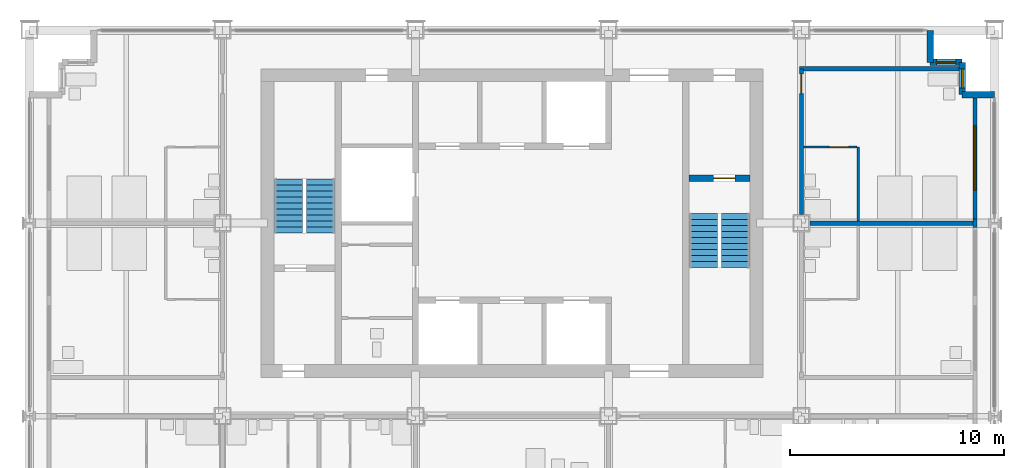
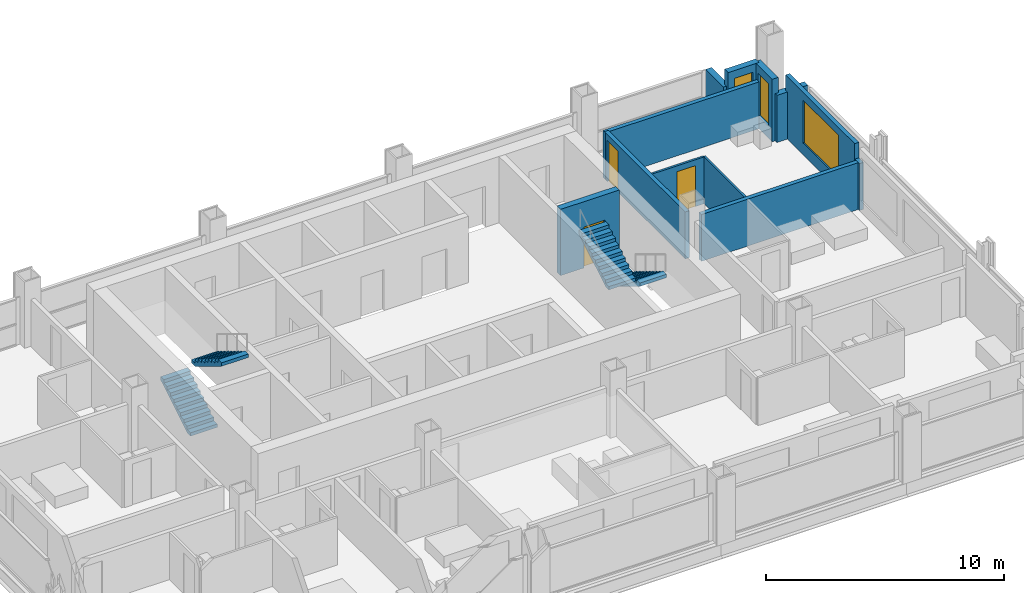
# One storey, part 10 of 13: 12 walls, 4 stair flights, 3 doors, 3 windows, 6 openings, 2 elements without a shape of their own.
"""IFC4 building model written with IfcOpenShell, lengths in metres."""

from ifc_helpers import new_model, si_unit, direction, frame, frame_2d, origin, place, context, subcontext, project, spatial, polyline, rectangle, outline, extrude, material, layer, layer_set, type_object, element, fill, aggregate, save


model = new_model("IFC4")

# Units and contexts
model_context = context("Model", 3, precision=1e-05, world=origin(), true_north=direction((0.0, 1.0)))
body_context = subcontext(model_context, "Body", "Model", "MODEL_VIEW")
ifc_project = project(units=[si_unit("LENGTHUNIT", "METRE"), si_unit("AREAUNIT", "SQUARE_METRE"), si_unit("VOLUMEUNIT", "CUBIC_METRE"), si_unit("PLANEANGLEUNIT", "RADIAN"), si_unit("MASSUNIT", "GRAM", prefix="KILO")], contexts=[model_context])

# Site, building, storey
site_placement = place(None, origin())
site = spatial("IfcSite", under=ifc_project, at=site_placement, CompositionType="ELEMENT")
building_placement = place(site_placement, origin())
building = spatial("IfcBuilding", under=site, at=building_placement, Name="Loomwork Tower", CompositionType="ELEMENT")
storey_placement = place(building_placement, frame((0.0, 0.0, 187.60009765625)))
storey = spatial("IfcBuildingStorey", under=building, at=storey_placement, Name="L51", CompositionType="ELEMENT", Elevation=187.60009765625)

# Wall, opening, door
ifc_material_1 = material(Name="Concrete 14000 psi (97 MPa)", Category="concrete")
ifc_layer_1 = layer(ifc_material_1, 0.300048828125)
ifc_layer_set_1 = layer_set([ifc_layer_1], Name="Core shear wall 300")
wall_type_1 = type_object("IfcWallType", Name="Core shear wall 300", PredefinedType="SHEAR", material=ifc_layer_set_1)
wall_1_placement = place(storey_placement, frame((30.75, 20.10009765625, 0.0), z_axis=(0.0, 0.0, 1.0), x_axis=(1.0, 0.0, 0.0)))
wall_1 = element("IfcWall", 1, at=wall_1_placement, inside=storey, type_object=wall_type_1, Name="Stair B north wall L51", PredefinedType="SHEAR", context=body_context, shape_type="SweptSolid", body=[
    extrude(rectangle(XDim=2.85009765625, YDim=0.300048828125, at=frame_2d((1.425048828125, 0.0))), origin(), (0.0, 0.0, 1.0), 3.39990234375),
])
opening_1_placement = place(wall_1_placement, frame((1.14990234375, 0.0, 0.0)))
opening_1 = element("IfcOpeningElement", 2, at=opening_1_placement, cuts=wall_1, Name="Opening D4", PredefinedType="OPENING", context=body_context, shape_type="SweptSolid", body=[
    extrude(rectangle(XDim=1.0, YDim=2.10009765625, at=frame_2d((0.5, 1.050048828125))), frame((0.0, 0.159912109375, 0.0), z_axis=(0.0, -1.0, 0.0), x_axis=(1.0, 0.0, 0.0)), (0.0, 0.0, 1.0), 0.320068359375),
])
ifc_material_2 = material(Name="Hollow metal door and frame")
door_type_1 = type_object("IfcDoorType", Name="Stair door 1000", OperationType="SINGLE_SWING_RIGHT", PredefinedType="DOOR", material=ifc_material_2)
door_1_placement = place(opening_1_placement, frame((1.0, 0.0, 0.0), z_axis=(0.0, 0.0, 1.0), x_axis=(-1.0, 0.0, 0.0)))
door_1 = element("IfcDoor", 3, at=door_1_placement, inside=storey, type_object=door_type_1, Name="Stair B door", OperationType="SINGLE_SWING_LEFT", OverallHeight=2.10009765625, OverallWidth=1.0, PredefinedType="DOOR", context=body_context, shape_type="SweptSolid", body=[
    extrude(rectangle(XDim=1.0, YDim=2.10009765625, at=frame_2d((0.5, 1.050048828125))), frame((0.0, 0.02490234375, 0.0), z_axis=(0.0, -1.0, 0.0), x_axis=(1.0, 0.0, 0.0)), (0.0, 0.0, 1.0), 0.050048828125),
])
fill(opening_1, door_1)

ifc_material_3 = material(Name="Gypsum board on steel studs, one-hour", Category="steel")
ifc_layer_2 = layer(ifc_material_3, 0.199951171875)
ifc_layer_set_2 = layer_set([ifc_layer_2], Name="Corridor wall 200")
wall_type_2 = type_object("IfcWallType", Name="Corridor wall 200", PredefinedType="PARTITIONING", material=ifc_layer_set_2)
wall_2_placement = place(storey_placement, frame((36.0, 18.39990234375, 0.0), z_axis=(0.0, 0.0, 1.0), x_axis=(0.0, 1.0, 0.0)))
wall_2 = element("IfcWall", 4, at=wall_2_placement, inside=storey, type_object=wall_type_2, Name="East corridor wall 2", PredefinedType="PARTITIONING", context=body_context, shape_type="SweptSolid", body=[
    extrude(rectangle(XDim=6.800048828125, YDim=0.199951171875, at=frame_2d((3.39990234375, 0.0))), origin(), (0.0, 0.0, 1.0), 2.40478515625),
])
opening_2_placement = place(wall_2_placement, frame((5.64990234375, 0.0, 0.0)))
opening_2 = element("IfcOpeningElement", 5, at=opening_2_placement, cuts=wall_2, Name="Opening D1", PredefinedType="OPENING", context=body_context, shape_type="SweptSolid", body=[
    extrude(rectangle(XDim=0.89990234375, YDim=2.10009765625, at=frame_2d((0.449951171875, 1.050048828125))), frame((0.0, 0.10986328125, 0.0), z_axis=(0.0, -1.0, 0.0), x_axis=(1.0, 0.0, 0.0)), (0.0, 0.0, 1.0), 0.219970703125),
])
ifc_material_4 = material(Name="Hollow metal door and frame")
door_type_2 = type_object("IfcDoorType", Name="Guest room entry door 900", OperationType="SINGLE_SWING_LEFT", PredefinedType="DOOR", material=ifc_material_4)
door_2_placement = place(opening_2_placement, frame((0.89990234375, 0.0, 0.0), z_axis=(0.0, 0.0, 1.0), x_axis=(-1.0, 0.0, 0.0)))
door_2 = element("IfcDoor", 6, at=door_2_placement, inside=storey, type_object=door_type_2, Name="Guest room entry door L51 10", OperationType="SINGLE_SWING_LEFT", OverallHeight=2.10009765625, OverallWidth=0.89990234375, PredefinedType="DOOR", context=body_context, shape_type="SweptSolid", body=[
    extrude(rectangle(XDim=0.89990234375, YDim=2.10009765625, at=frame_2d((0.449951171875, 1.050048828125))), frame((0.0, 0.02490234375, 0.0), z_axis=(0.0, -1.0, 0.0), x_axis=(1.0, 0.0, 0.0)), (0.0, 0.0, 1.0), 0.050048828125),
])
fill(opening_2, door_2)

# Walls
wall_3_placement = place(storey_placement, frame((35.89990234375, 25.199951171875, 0.0), z_axis=(0.0, 0.0, 1.0), x_axis=(1.0, 0.0, 0.0)))
element("IfcWall", 7, at=wall_3_placement, inside=storey, type_object=wall_type_2, Name="East band end wall N", PredefinedType="PARTITIONING", context=body_context, shape_type="SweptSolid", body=[
    extrude(rectangle(XDim=7.4501953125, YDim=0.199951171875, at=frame_2d((3.72509765625, 0.0))), origin(), (0.0, 0.0, 1.0), 2.40380859375),
])
ifc_material_5 = material(Name="Cement board on steel studs", Category="steel")
ifc_layer_3 = layer(ifc_material_5, 0.10009765625)
ifc_layer_set_3 = layer_set([ifc_layer_3], Name="En-suite partition 100")
wall_type_3 = type_object("IfcWallType", Name="En-suite partition 100", PredefinedType="PARTITIONING", material=ifc_layer_set_3)
wall_4_placement = place(storey_placement, frame((38.64990234375, 18.10009765625, 0.0), z_axis=(0.0, 0.0, 1.0), x_axis=(0.0, 1.0, 0.0)))
element("IfcWall", 8, at=wall_4_placement, inside=storey, type_object=wall_type_3, Name="En-suite wall L51 room 10", PredefinedType="PARTITIONING", context=body_context, shape_type="SweptSolid", body=[
    extrude(rectangle(XDim=3.449951171875, YDim=0.10009765625, at=frame_2d((1.72509765625, 0.0))), origin(), (0.0, 0.0, 1.0), 2.40380859375),
])

# Wall, opening, door
wall_5_placement = place(storey_placement, frame((36.10009765625, 21.550048828125, 0.0), z_axis=(0.0, 0.0, 1.0), x_axis=(1.0, 0.0, 0.0)))
wall_5 = element("IfcWall", 9, at=wall_5_placement, inside=storey, type_object=wall_type_3, Name="En-suite side wall L51 room 10", PredefinedType="PARTITIONING", context=body_context, shape_type="SweptSolid", body=[
    extrude(rectangle(XDim=2.5, YDim=0.10009765625, at=frame_2d((1.25, 0.0))), origin(), (0.0, 0.0, 1.0), 2.40380859375),
])
opening_3_placement = place(wall_5_placement, frame((1.199951171875, 0.0, 0.0)))
opening_3 = element("IfcOpeningElement", 10, at=opening_3_placement, cuts=wall_5, Name="Opening D2", PredefinedType="OPENING", context=body_context, shape_type="SweptSolid", body=[
    extrude(rectangle(XDim=0.89990234375, YDim=2.10009765625, at=frame_2d((0.449951171875, 1.050048828125))), frame((0.0, 0.06005859375, 0.0), z_axis=(0.0, -1.0, 0.0), x_axis=(1.0, 0.0, 0.0)), (0.0, 0.0, 1.0), 0.1201171875),
])
ifc_material_6 = material(Name="Hollow metal door and frame")
door_type_3 = type_object("IfcDoorType", Name="En-suite door 900", OperationType="SINGLE_SWING_LEFT", PredefinedType="DOOR", material=ifc_material_6)
door_3_placement = place(opening_3_placement, frame((0.89990234375, 0.0, 0.0), z_axis=(0.0, 0.0, 1.0), x_axis=(-1.0, 0.0, 0.0)))
door_3 = element("IfcDoor", 11, at=door_3_placement, inside=storey, type_object=door_type_3, Name="En-suite door room 10", OperationType="SINGLE_SWING_LEFT", OverallHeight=2.10009765625, OverallWidth=0.89990234375, PredefinedType="DOOR", context=body_context, shape_type="SweptSolid", body=[
    extrude(rectangle(XDim=0.89990234375, YDim=2.10009765625, at=frame_2d((0.449951171875, 1.050048828125))), frame((0.0, 0.02490234375, 0.0), z_axis=(0.0, -1.0, 0.0), x_axis=(1.0, 0.0, 0.0)), (0.0, 0.0, 1.0), 0.050048828125),
])
fill(opening_3, door_3)

# Walls
ifc_material_7 = material(Name="Gypsum board on steel studs, acoustic", Category="steel")
ifc_layer_4 = layer(ifc_material_7, 0.199951171875)
ifc_layer_set_4 = layer_set([ifc_layer_4], Name="Guest room party wall 200")
wall_type_4 = type_object("IfcWallType", Name="Guest room party wall 200", PredefinedType="PARTITIONING", material=ifc_layer_set_4)
wall_6_placement = place(storey_placement, frame((36.39990234375, 18.0, 0.0), z_axis=(0.0, 0.0, 1.0), x_axis=(1.0, 0.0, 0.0)))
element("IfcWall", 12, at=wall_6_placement, inside=storey, type_object=wall_type_4, Name="Guest room party wall E 18", PredefinedType="PARTITIONING", context=body_context, shape_type="SweptSolid", body=[
    extrude(rectangle(XDim=7.60009765625, YDim=0.199951171875, at=frame_2d((3.800048828125, 0.0))), origin(), (0.0, 0.0, 1.0), 2.40478515625),
])
ifc_material_8 = material(Name="Insulated steel stud wall with gypsum lining", Category="steel")
ifc_layer_5 = layer(ifc_material_8, 0.199951171875)
ifc_layer_set_5 = layer_set([ifc_layer_5], Name="Inner skin wall 200")
wall_type_5 = type_object("IfcWallType", Name="Inner skin wall 200", PredefinedType="SOLIDWALL", material=ifc_layer_set_5)
wall_7_placement = place(storey_placement, frame((44.10009765625, 17.80615234375, 0.0), z_axis=(0.0, 0.0, 1.0), x_axis=(0.0, 1.0, 0.0)))
element("IfcWall", 13, at=wall_7_placement, inside=storey, type_object=wall_type_5, Name="Inner skin wall E bay 6", PredefinedType="SOLIDWALL", context=body_context, shape_type="SweptSolid", body=[
    extrude(rectangle(XDim=0.3876953125, YDim=0.199951171875, at=frame_2d((0.19384765625, 0.0))), origin(), (0.0, 0.0, 1.0), 2.40380859375),
])

# Wall, opening, window
wall_8_placement = place(storey_placement, frame((44.10009765625, 18.19384765625, 0.0), z_axis=(0.0, 0.0, 1.0), x_axis=(0.0, 1.0, 0.0)))
wall_8 = element("IfcWall", 14, at=wall_8_placement, inside=storey, type_object=wall_type_5, Name="Inner skin wall E bay 7", PredefinedType="SOLIDWALL", context=body_context, shape_type="SweptSolid", body=[
    extrude(rectangle(XDim=5.80615234375, YDim=0.199951171875, at=frame_2d((2.903076171875, 0.0))), origin(), (0.0, 0.0, 1.0), 3.199951171875),
])
opening_4_placement = place(wall_8_placement, frame((1.356201171875, 0.0, 0.60009765625)))
opening_4 = element("IfcOpeningElement", 15, at=opening_4_placement, cuts=wall_8, Name="Opening CH1", PredefinedType="OPENING", context=body_context, shape_type="SweptSolid", body=[
    extrude(rectangle(XDim=3.0, YDim=2.199951171875, at=frame_2d((1.5, 1.10009765625))), frame((0.0, 0.10986328125, 0.0), z_axis=(0.0, -1.0, 0.0), x_axis=(1.0, 0.0, 0.0)), (0.0, 0.0, 1.0), 0.219970703125),
])
ifc_material_9 = material(Name="Aluminium frame with clear insulated glass", Category="aluminium")
window_type_1 = type_object("IfcWindowType", Name="Chicago window 3000", PartitioningType="TRIPLE_PANEL_VERTICAL", PredefinedType="WINDOW", material=ifc_material_9)
window_1_placement = place(opening_4_placement, origin())
window_1 = element("IfcWindow", 16, at=window_1_placement, inside=storey, type_object=window_type_1, Name="Chicago window L51 bay 9", OverallHeight=2.199951171875, OverallWidth=3.0, PartitioningType="TRIPLE_PANEL_VERTICAL", PredefinedType="WINDOW", context=body_context, shape_type="SweptSolid", body=[
    extrude(rectangle(XDim=3.0, YDim=2.199951171875, at=frame_2d((1.5, 1.10009765625))), frame((0.0, 0.030029296875, 0.0), z_axis=(0.0, -1.0, 0.0), x_axis=(1.0, 0.0, 0.0)), (0.0, 0.0, 1.0), 0.06005859375),
])
fill(opening_4, window_1)

# Wall
ifc_material_10 = material(Name="Limestone on concrete masonry", Category="masonry")
ifc_layer_6 = layer(ifc_material_10, 0.300048828125)
ifc_layer_set_6 = layer_set([ifc_layer_6], Name="Limestone corner wall 300")
wall_type_6 = type_object("IfcWallType", Name="Limestone corner wall 300", PredefinedType="SOLIDWALL", material=ifc_layer_set_6)
wall_9_placement = place(storey_placement, frame((45.0, 24.0, 0.0), z_axis=(0.0, 0.0, 1.0), x_axis=(-1.0, 0.0, 0.0)))
element("IfcWall", 17, at=wall_9_placement, inside=storey, type_object=wall_type_6, Name="Stone corner wall NE 1", PredefinedType="SOLIDWALL", context=body_context, shape_type="SweptSolid", body=[
    extrude(rectangle(XDim=1.5, YDim=0.300048828125, at=frame_2d((0.75, 0.0))), origin(), (0.0, 0.0, 1.0), 2.419921875),
])

# Wall, opening, window
wall_10_placement = place(storey_placement, frame((43.5, 24.0, 0.0), z_axis=(0.0, 0.0, 1.0), x_axis=(0.0, 1.0, 0.0)))
wall_10 = element("IfcWall", 18, at=wall_10_placement, inside=storey, type_object=wall_type_6, Name="Stone corner wall NE 2", PredefinedType="SOLIDWALL", context=body_context, shape_type="SweptSolid", body=[
    extrude(rectangle(XDim=1.5, YDim=0.300048828125, at=frame_2d((0.75, 0.0))), origin(), (0.0, 0.0, 1.0), 3.199951171875),
])
opening_5_placement = place(wall_10_placement, frame((0.300048828125, 0.0, 0.60009765625)))
opening_5 = element("IfcOpeningElement", 19, at=opening_5_placement, cuts=wall_10, Name="Opening CH2", PredefinedType="OPENING", context=body_context, shape_type="SweptSolid", body=[
    extrude(rectangle(XDim=0.89990234375, YDim=2.199951171875, at=frame_2d((0.449951171875, 1.10009765625))), frame((0.0, 0.159912109375, 0.0), z_axis=(0.0, -1.0, 0.0), x_axis=(1.0, 0.0, 0.0)), (0.0, 0.0, 1.0), 0.320068359375),
])
ifc_material_11 = material(Name="Aluminium frame with clear insulated glass", Category="aluminium")
window_type_2 = type_object("IfcWindowType", Name="Corner window 900", PartitioningType="SINGLE_PANEL", PredefinedType="WINDOW", material=ifc_material_11)
window_2_placement = place(opening_5_placement, origin())
window_2 = element("IfcWindow", 20, at=window_2_placement, inside=storey, type_object=window_type_2, Name="Corner window NE", OverallHeight=2.199951171875, OverallWidth=0.89990234375, PartitioningType="SINGLE_PANEL", PredefinedType="WINDOW", context=body_context, shape_type="SweptSolid", body=[
    extrude(rectangle(XDim=0.89990234375, YDim=2.199951171875, at=frame_2d((0.449951171875, 1.10009765625))), frame((0.0, 0.030029296875, 0.0), z_axis=(0.0, -1.0, 0.0), x_axis=(1.0, 0.0, 0.0)), (0.0, 0.0, 1.0), 0.06005859375),
])
fill(opening_5, window_2)

wall_11_placement = place(storey_placement, frame((43.5, 25.5, 0.0), z_axis=(0.0, 0.0, 1.0), x_axis=(-1.0, 0.0, 0.0)))
wall_11 = element("IfcWall", 21, at=wall_11_placement, inside=storey, type_object=wall_type_6, Name="Stone corner wall NE 3", PredefinedType="SOLIDWALL", context=body_context, shape_type="SweptSolid", body=[
    extrude(rectangle(XDim=1.5, YDim=0.300048828125, at=frame_2d((0.75, 0.0))), origin(), (0.0, 0.0, 1.0), 3.199951171875),
])
opening_6_placement = place(wall_11_placement, frame((0.300048828125, 0.0, 0.60009765625)))
opening_6 = element("IfcOpeningElement", 22, at=opening_6_placement, cuts=wall_11, Name="Opening CH2", PredefinedType="OPENING", context=body_context, shape_type="SweptSolid", body=[
    extrude(rectangle(XDim=0.89990234375, YDim=2.199951171875, at=frame_2d((0.449951171875, 1.10009765625))), frame((0.0, 0.159912109375, 0.0), z_axis=(0.0, -1.0, 0.0), x_axis=(1.0, 0.0, 0.0)), (0.0, 0.0, 1.0), 0.320068359375),
])
window_3_placement = place(opening_6_placement, origin())
window_3 = element("IfcWindow", 23, at=window_3_placement, inside=storey, type_object=window_type_2, Name="Corner window NE", OverallHeight=2.199951171875, OverallWidth=0.89990234375, PartitioningType="SINGLE_PANEL", PredefinedType="WINDOW", context=body_context, shape_type="SweptSolid", body=[
    extrude(rectangle(XDim=0.89990234375, YDim=2.199951171875, at=frame_2d((0.449951171875, 1.10009765625))), frame((0.0, 0.030029296875, 0.0), z_axis=(0.0, -1.0, 0.0), x_axis=(1.0, 0.0, 0.0)), (0.0, 0.0, 1.0), 0.06005859375),
])
fill(opening_6, window_3)

# Wall
wall_12_placement = place(storey_placement, frame((42.0, 25.5, 0.0), z_axis=(0.0, 0.0, 1.0), x_axis=(0.0, 1.0, 0.0)))
element("IfcWall", 24, at=wall_12_placement, inside=storey, type_object=wall_type_6, Name="Stone corner wall NE 4", PredefinedType="SOLIDWALL", context=body_context, shape_type="SweptSolid", body=[
    extrude(rectangle(XDim=1.5, YDim=0.300048828125, at=frame_2d((0.75, 0.0))), origin(), (0.0, 0.0, 1.0), 2.419921875),
])

# Stair, stair flights
ifc_material_12 = material(Name="Concrete 5000 psi (34 MPa) precast stair", Category="concrete")
stair_type_1 = type_object("IfcStairType", Name="Stair ST-A 20 risers 2850 wide", PredefinedType="HALF_TURN_STAIR", material=ifc_material_12)
stair_1_placement = place(storey_placement, origin())
stair_1 = element("IfcStair", 25, at=stair_1_placement, inside=storey, type_object=stair_type_1, Name="Stair A L51", PredefinedType="HALF_TURN_STAIR")
ifc_material_13 = material(Name="Concrete 5000 psi (34 MPa) precast stair", Category="concrete")
stair_flight_type_1 = type_object("IfcStairFlightType", Name="Stair flight ST-A 10 risers 1300 wide", PredefinedType="STRAIGHT", material=ifc_material_13)
stair_flight_1_placement = place(storey_placement, frame((12.074951171875, 17.550048828125, 0.0), z_axis=(0.0, 0.0, 1.0), x_axis=(0.0, 1.0, 0.0)))
stair_flight_1 = element("IfcStairFlight", 26, at=stair_flight_1_placement, type_object=stair_flight_type_1, Name="ST-A flight 1", NumberOfRisers=10, NumberOfTreads=9, PredefinedType="STRAIGHT", RiserHeight=0.17, TreadLength=0.28, context=body_context, shape_type="SweptSolid", body=[
    extrude(outline(polyline([(0.0, 0.0), (0.0, 0.169921875), (0.280029296875, 0.169921875), (0.280029296875, 0.340087890625), (0.56005859375, 0.340087890625), (0.56005859375, 0.510009765625), (0.840087890625, 0.510009765625), (0.840087890625, 0.679931640625), (1.1201171875, 0.679931640625), (1.1201171875, 0.85009765625), (1.39990234375, 0.85009765625), (1.39990234375, 1.02001953125), (1.679931640625, 1.02001953125), (1.679931640625, 1.18994140625), (1.9599609375, 1.18994140625), (1.9599609375, 1.360107421875), (2.239990234375, 1.360107421875), (2.239990234375, 1.530029296875), (2.52001953125, 1.530029296875), (2.52001953125, 1.699951171875), (2.52001953125, 1.354736328125), (0.288818359375, 0.0), (0.0, 0.0)])), frame((0.0, 0.64990234375, 0.0), z_axis=(0.0, -1.0, 0.0), x_axis=(1.0, 0.0, 0.0)), (0.0, 0.0, 1.0), 1.300048828125),
])
stair_flight_2_placement = place(storey_placement, frame((13.574951171875, 20.070068359375, 1.699951171875), z_axis=(0.0, 0.0, 1.0), x_axis=(0.0, -1.0, 0.0)))
stair_flight_2 = element("IfcStairFlight", 27, at=stair_flight_2_placement, type_object=stair_flight_type_1, Name="ST-A flight 2", NumberOfRisers=10, NumberOfTreads=9, PredefinedType="STRAIGHT", RiserHeight=0.17, TreadLength=0.28, context=body_context, shape_type="SweptSolid", body=[
    extrude(outline(polyline([(0.0, 0.0), (0.0, 0.169921875), (0.280029296875, 0.169921875), (0.280029296875, 0.340087890625), (0.56005859375, 0.340087890625), (0.56005859375, 0.510009765625), (0.840087890625, 0.510009765625), (0.840087890625, 0.679931640625), (1.1201171875, 0.679931640625), (1.1201171875, 0.85009765625), (1.39990234375, 0.85009765625), (1.39990234375, 1.02001953125), (1.679931640625, 1.02001953125), (1.679931640625, 1.18994140625), (1.9599609375, 1.18994140625), (1.9599609375, 1.360107421875), (2.239990234375, 1.360107421875), (2.239990234375, 1.530029296875), (2.52001953125, 1.530029296875), (2.52001953125, 1.699951171875), (2.52001953125, 1.354736328125), (0.288818359375, 0.0), (0.0, 0.0)])), frame((0.0, 0.64990234375, 0.0), z_axis=(0.0, -1.0, 0.0), x_axis=(1.0, 0.0, 0.0)), (0.0, 0.0, 1.0), 1.300048828125),
])
aggregate(stair_1, [stair_flight_1, stair_flight_2])

ifc_material_14 = material(Name="Concrete 5000 psi (34 MPa) precast stair", Category="concrete")
stair_type_2 = type_object("IfcStairType", Name="Stair ST-B 20 risers 2850 wide", PredefinedType="HALF_TURN_STAIR", material=ifc_material_14)
stair_2_placement = place(storey_placement, origin())
stair_2 = element("IfcStair", 28, at=stair_2_placement, inside=storey, type_object=stair_type_2, Name="Stair B L51", PredefinedType="HALF_TURN_STAIR")
ifc_material_15 = material(Name="Concrete 5000 psi (34 MPa) precast stair", Category="concrete")
stair_flight_type_2 = type_object("IfcStairFlightType", Name="Stair flight ST-B 10 risers 1300 wide", PredefinedType="STRAIGHT", material=ifc_material_15)
stair_flight_3_placement = place(storey_placement, frame((32.925048828125, 18.449951171875, 0.0), z_axis=(0.0, 0.0, 1.0), x_axis=(0.0, -1.0, 0.0)))
stair_flight_3 = element("IfcStairFlight", 29, at=stair_flight_3_placement, type_object=stair_flight_type_2, Name="ST-B flight 1", NumberOfRisers=10, NumberOfTreads=9, PredefinedType="STRAIGHT", RiserHeight=0.17, TreadLength=0.28, context=body_context, shape_type="SweptSolid", body=[
    extrude(outline(polyline([(0.0, 0.0), (0.0, 0.169921875), (0.280029296875, 0.169921875), (0.280029296875, 0.340087890625), (0.56005859375, 0.340087890625), (0.56005859375, 0.510009765625), (0.840087890625, 0.510009765625), (0.840087890625, 0.679931640625), (1.1201171875, 0.679931640625), (1.1201171875, 0.85009765625), (1.39990234375, 0.85009765625), (1.39990234375, 1.02001953125), (1.679931640625, 1.02001953125), (1.679931640625, 1.18994140625), (1.9599609375, 1.18994140625), (1.9599609375, 1.360107421875), (2.239990234375, 1.360107421875), (2.239990234375, 1.530029296875), (2.52001953125, 1.530029296875), (2.52001953125, 1.699951171875), (2.52001953125, 1.354736328125), (0.288818359375, 0.0), (0.0, 0.0)])), frame((0.0, 0.64990234375, 0.0), z_axis=(0.0, -1.0, 0.0), x_axis=(1.0, 0.0, 0.0)), (0.0, 0.0, 1.0), 1.300048828125),
])
stair_flight_4_placement = place(storey_placement, frame((31.425048828125, 15.929931640625, 1.699951171875), z_axis=(0.0, 0.0, 1.0), x_axis=(0.0, 1.0, 0.0)))
stair_flight_4 = element("IfcStairFlight", 30, at=stair_flight_4_placement, type_object=stair_flight_type_2, Name="ST-B flight 2", NumberOfRisers=10, NumberOfTreads=9, PredefinedType="STRAIGHT", RiserHeight=0.17, TreadLength=0.28, context=body_context, shape_type="SweptSolid", body=[
    extrude(outline(polyline([(0.0, 0.0), (0.0, 0.169921875), (0.280029296875, 0.169921875), (0.280029296875, 0.340087890625), (0.56005859375, 0.340087890625), (0.56005859375, 0.510009765625), (0.840087890625, 0.510009765625), (0.840087890625, 0.679931640625), (1.1201171875, 0.679931640625), (1.1201171875, 0.85009765625), (1.39990234375, 0.85009765625), (1.39990234375, 1.02001953125), (1.679931640625, 1.02001953125), (1.679931640625, 1.18994140625), (1.9599609375, 1.18994140625), (1.9599609375, 1.360107421875), (2.239990234375, 1.360107421875), (2.239990234375, 1.530029296875), (2.52001953125, 1.530029296875), (2.52001953125, 1.699951171875), (2.52001953125, 1.354736328125), (0.288818359375, 0.0), (0.0, 0.0)])), frame((0.0, 0.64990234375, 0.0), z_axis=(0.0, -1.0, 0.0), x_axis=(1.0, 0.0, 0.0)), (0.0, 0.0, 1.0), 1.300048828125),
])
aggregate(stair_2, [stair_flight_3, stair_flight_4])

save(model, "model.ifc")
